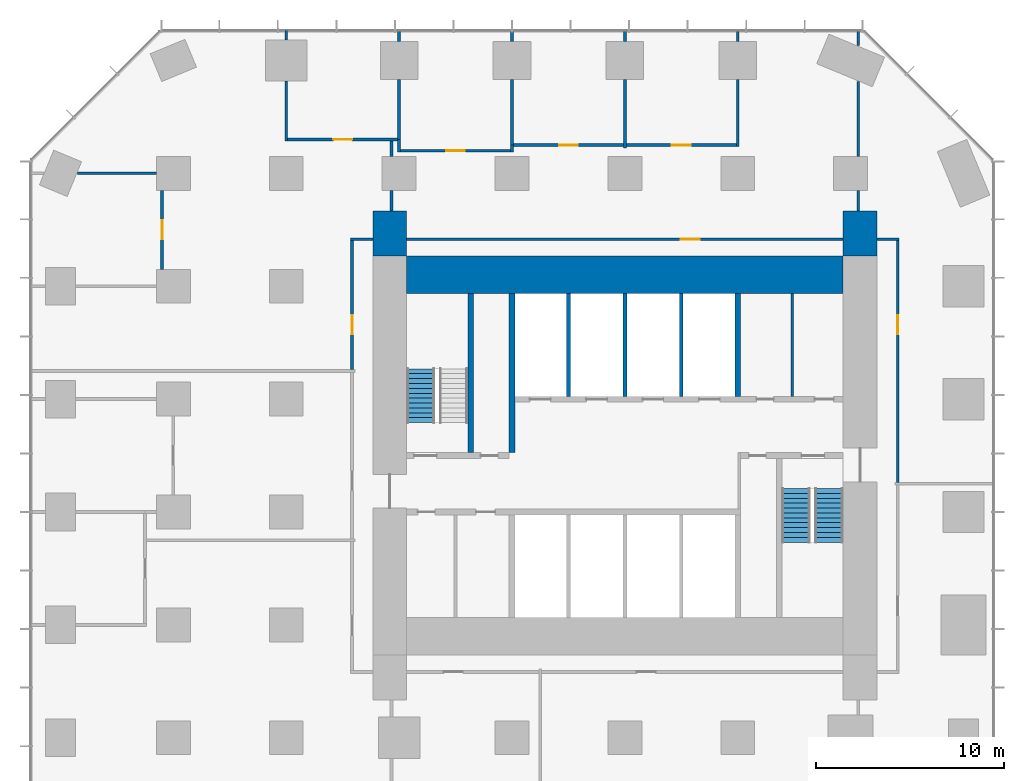
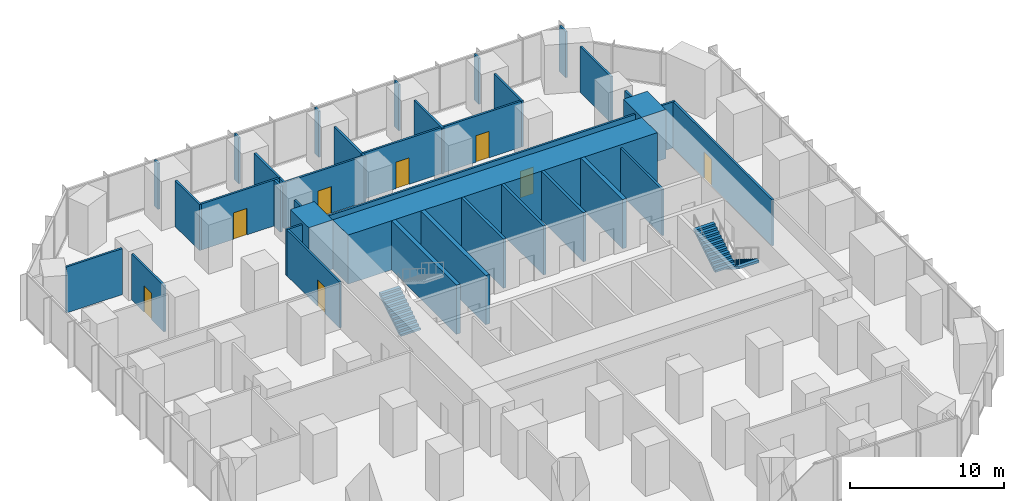
# One storey, part 10 of 12: 38 walls, 8 doors, 3 stair flights, 8 openings, 2 elements without a shape of their own.
"""IFC4 building model written with IfcOpenShell, lengths in metres."""

from ifc_helpers import new_model, si_unit, direction, frame, frame_2d, origin, place, context, subcontext, project, spatial, polyline, rectangle, outline, extrude, material, layer, layer_set, type_object, element, fill, aggregate, save


model = new_model("IFC4")

# Units and contexts
model_context = context("Model", 3, precision=1e-05, world=origin(), true_north=direction((0.0, 1.0)))
body_context = subcontext(model_context, "Body", "Model", "MODEL_VIEW")
ifc_project = project(units=[si_unit("LENGTHUNIT", "METRE"), si_unit("AREAUNIT", "SQUARE_METRE"), si_unit("VOLUMEUNIT", "CUBIC_METRE"), si_unit("PLANEANGLEUNIT", "RADIAN"), si_unit("MASSUNIT", "GRAM", prefix="KILO")], contexts=[model_context])

# Site, building, storey
site_placement = place(None, origin())
site = spatial("IfcSite", under=ifc_project, at=site_placement, CompositionType="ELEMENT")
building_placement = place(site_placement, origin())
building = spatial("IfcBuilding", under=site, at=building_placement, Name="Highveld Stack Headquarters", CompositionType="ELEMENT")
storey_placement = place(building_placement, frame((0.0, 0.0, 37.699951171875)))
storey = spatial("IfcBuildingStorey", under=building, at=storey_placement, Name="L08", CompositionType="ELEMENT", Elevation=37.699951171875)

# Walls
ifc_material_1 = material(Name="Concrete C60/75", Category="concrete")
ifc_layer_1 = layer(ifc_material_1, 2.0)
ifc_layer_set_1 = layer_set([ifc_layer_1], Name="Concrete C60/75")
wall_type_1 = type_object("IfcWallType", Name="CORE WALL 2000 C60/75", PredefinedType="SHEAR", material=ifc_layer_set_1)
wall_1_placement = place(storey_placement, frame((-5.60009765625, 12.60009765625, 0.0), z_axis=(0.0, 0.0, 1.0), x_axis=(1.0, 0.0, 0.0)))
element("IfcWall", 1, at=wall_1_placement, inside=storey, type_object=wall_type_1, Name="Core wall N L08", PredefinedType="SHEAR", context=body_context, shape_type="SweptSolid", body=[
    extrude(rectangle(XDim=23.2001953125, YDim=2.0, at=frame_2d((11.60009765625, 0.0))), origin(), (0.0, 0.0, 1.0), 3.900146484375),
])
ifc_material_2 = material(Name="Concrete C60/75", Category="concrete")
ifc_layer_2 = layer(ifc_material_2, 0.300048828125)
ifc_layer_set_2 = layer_set([ifc_layer_2], Name="Concrete C60/75")
wall_type_2 = type_object("IfcWallType", Name="CORE WALL 300 C60/75", PredefinedType="SHEAR", material=ifc_layer_set_2)
wall_2_placement = place(storey_placement, frame((0.0, 3.14990234375, 0.0), z_axis=(0.0, 0.0, 1.0), x_axis=(0.0, 1.0, 0.0)))
element("IfcWall", 2, at=wall_2_placement, inside=storey, type_object=wall_type_2, Name="Core wall I-X0N L08", PredefinedType="SHEAR", context=body_context, shape_type="SweptSolid", body=[
    extrude(rectangle(XDim=8.4501953125, YDim=0.300048828125, at=frame_2d((4.22509765625, 0.0))), origin(), (0.0, 0.0, 1.0), 3.900146484375),
])
wall_3_placement = place(storey_placement, frame((12.0, 6.14990234375, 0.0), z_axis=(0.0, 0.0, 1.0), x_axis=(0.0, 1.0, 0.0)))
element("IfcWall", 3, at=wall_3_placement, inside=storey, type_object=wall_type_2, Name="Core wall I-X12N L08", PredefinedType="SHEAR", context=body_context, shape_type="SweptSolid", body=[
    extrude(rectangle(XDim=5.4501953125, YDim=0.300048828125, at=frame_2d((2.72509765625, 0.0))), origin(), (0.0, 0.0, 1.0), 3.900146484375),
])
wall_4_placement = place(storey_placement, frame((-2.199951171875, 3.14990234375, 0.0), z_axis=(0.0, 0.0, 1.0), x_axis=(0.0, 1.0, 0.0)))
element("IfcWall", 4, at=wall_4_placement, inside=storey, type_object=wall_type_2, Name="Core wall I-RW L08", PredefinedType="SHEAR", context=body_context, shape_type="SweptSolid", body=[
    extrude(rectangle(XDim=8.4501953125, YDim=0.300048828125, at=frame_2d((4.22509765625, 0.0))), origin(), (0.0, 0.0, 1.0), 3.900146484375),
])
ifc_material_3 = material(Name="Concrete C60/75", Category="concrete")
ifc_layer_3 = layer(ifc_material_3, 1.800048828125)
ifc_layer_set_3 = layer_set([ifc_layer_3], Name="Concrete C60/75")
wall_type_3 = type_object("IfcWallType", Name="CORE WING WALL 1800 C60/75", PredefinedType="SHEAR", material=ifc_layer_set_3)
for number, where, z_axis, x_axis, name in (
    (5, (-6.5, 13.60009765625, 0.0), (0.0, 0.0, 1.0), (0.0, 1.0, 0.0), "Core wing wall WN L08"),
    (6, (18.5, 13.60009765625, 0.0), (0.0, 0.0, 1.0), (0.0, 1.0, 0.0), "Core wing wall EN L08"),
):
    element("IfcWall", number, at=place(storey_placement, frame(where, z_axis=z_axis, x_axis=x_axis)), inside=storey, type_object=wall_type_3, Name=name, PredefinedType="SHEAR", context=body_context, shape_type="SweptSolid", body=[
        extrude(rectangle(XDim=2.39990234375, YDim=1.800048828125, at=frame_2d((1.199951171875, 0.0))), origin(), (0.0, 0.0, 1.0), 3.900146484375),
    ])

# Wall, opening, door
ifc_material_4 = material(Name="Laminated glass in aluminium frame", Category="aluminium")
ifc_layer_4 = layer(ifc_material_4, 0.14990234375)
ifc_layer_set_4 = layer_set([ifc_layer_4], Name="Laminated glass in aluminium frame")
wall_type_4 = type_object("IfcWallType", Name="GLAZED PARTITION 150", PredefinedType="PARTITIONING", material=ifc_layer_set_4)
wall_5_placement = place(storey_placement, frame((-18.60009765625, 12.89990234375, 0.0), z_axis=(0.0, 0.0, 1.0), x_axis=(0.0, 1.0, 0.0)))
wall_5 = element("IfcWall", 7, at=wall_5_placement, inside=storey, type_object=wall_type_4, Name="Glazed partition Video conference room L08", PredefinedType="PARTITIONING", context=body_context, shape_type="SweptSolid", body=[
    extrude(rectangle(XDim=4.2001953125, YDim=0.14990234375, at=frame_2d((2.10009765625, 0.0))), origin(), (0.0, 0.0, 1.0), 3.650146484375),
])
opening_1_placement = place(wall_5_placement, frame((1.60009765625, 0.0, 0.0)))
opening_1 = element("IfcOpeningElement", 8, at=opening_1_placement, cuts=wall_5, Name="Opening L08-16", PredefinedType="OPENING", context=body_context, shape_type="SweptSolid", body=[
    extrude(rectangle(XDim=1.0, YDim=2.10009765625, at=frame_2d((0.5, 1.050048828125))), frame((0.0, 0.0849609375, 0.0), z_axis=(0.0, -1.0, 0.0), x_axis=(1.0, 0.0, 0.0)), (0.0, 0.0, 1.0), 0.169921875),
])
ifc_material_5 = material(Name="Timber door, oiled ash", Category="wood")
door_type = type_object("IfcDoorType", Name="ROOM DOOR D6 1000x2100", OperationType="SINGLE_SWING_LEFT", PredefinedType="DOOR", material=ifc_material_5)
door_1_placement = place(opening_1_placement, origin())
door_1 = element("IfcDoor", 9, at=door_1_placement, inside=storey, type_object=door_type, Name="Video conference room door 1 L08", OperationType="SINGLE_SWING_RIGHT", OverallHeight=2.10009765625, OverallWidth=1.0, PredefinedType="DOOR", context=body_context, shape_type="SweptSolid", body=[
    extrude(rectangle(XDim=1.0, YDim=2.10009765625, at=frame_2d((0.5, 1.050048828125))), frame((0.0, 0.02490234375, 0.0), z_axis=(0.0, -1.0, 0.0), x_axis=(1.0, 0.0, 0.0)), (0.0, 0.0, 1.0), 0.050048828125),
])
fill(opening_1, door_1)

# Walls
ifc_material_6 = material(Name="Concrete blockwork, fair-faced", Category="masonry")
ifc_layer_5 = layer(ifc_material_6, 0.199951171875)
ifc_layer_set_5 = layer_set([ifc_layer_5], Name="Concrete blockwork, fair-faced")
wall_type_5 = type_object("IfcWallType", Name="LIFT SHAFT ENCLOSURE WALL 200 BLOCKWORK", PredefinedType="SOLIDWALL", material=ifc_layer_set_5)
for number, where, z_axis, x_axis, name in (
    (10, (3.0, 6.14990234375, 0.0), (0.0, 0.0, 1.0), (0.0, 1.0, 0.0), "Lift shaft wall L08"),
    (11, (6.0, 6.14990234375, 0.0), (0.0, 0.0, 1.0), (0.0, 1.0, 0.0), "Lift shaft wall L08"),
    (12, (9.0, 6.14990234375, 0.0), (0.0, 0.0, 1.0), (0.0, 1.0, 0.0), "Lift shaft wall L08"),
):
    element("IfcWall", number, at=place(storey_placement, frame(where, z_axis=z_axis, x_axis=x_axis)), inside=storey, type_object=wall_type_5, Name=name, PredefinedType="SOLIDWALL", context=body_context, shape_type="SweptSolid", body=[
        extrude(rectangle(XDim=5.4501953125, YDim=0.199951171875, at=frame_2d((2.72509765625, 0.0))), origin(), (0.0, 0.0, 1.0), 3.900146484375),
    ])
ifc_material_7 = material(Name="Gypsum plasterboard on steel studs", Category="steel")
ifc_layer_6 = layer(ifc_material_7, 0.14990234375)
ifc_layer_set_6 = layer_set([ifc_layer_6], Name="Gypsum plasterboard on steel studs")
wall_type_6 = type_object("IfcWallType", Name="PARTITION 150 PLASTERBOARD", PredefinedType="PARTITIONING", material=ifc_layer_set_6)
wall_6_placement = place(storey_placement, frame((-23.10302734375, 18.0, 0.0), z_axis=(0.0, 0.0, 1.0), x_axis=(1.0, 0.0, 0.0)))
element("IfcWall", 13, at=wall_6_placement, inside=storey, type_object=wall_type_6, Name="Partition Video conference room L08", PredefinedType="PARTITIONING", context=body_context, shape_type="SweptSolid", body=[
    extrude(rectangle(XDim=4.203125, YDim=0.14990234375, at=frame_2d((2.1015625, 0.0))), origin(), (0.0, 0.0, 1.0), 3.650146484375),
])

# Wall, opening, door
wall_7_placement = place(storey_placement, frame((-5.925048828125, 19.199951171875, 0.0), z_axis=(0.0, 0.0, 1.0), x_axis=(1.0, 0.0, 0.0)))
wall_7 = element("IfcWall", 14, at=wall_7_placement, inside=storey, type_object=wall_type_6, Name="Partition Tea kitchen L08", PredefinedType="PARTITIONING", context=body_context, shape_type="SweptSolid", body=[
    extrude(rectangle(XDim=5.85009765625, YDim=0.14990234375, at=frame_2d((2.925048828125, 0.0))), origin(), (0.0, 0.0, 1.0), 3.650146484375),
])
opening_2_placement = place(wall_7_placement, frame((2.425048828125, 0.0, 0.0)))
opening_2 = element("IfcOpeningElement", 15, at=opening_2_placement, cuts=wall_7, Name="Opening L08-18", PredefinedType="OPENING", context=body_context, shape_type="SweptSolid", body=[
    extrude(rectangle(XDim=1.0, YDim=2.10009765625, at=frame_2d((0.5, 1.050048828125))), frame((0.0, 0.0849609375, 0.0), z_axis=(0.0, -1.0, 0.0), x_axis=(1.0, 0.0, 0.0)), (0.0, 0.0, 1.0), 0.169921875),
])
door_2_placement = place(opening_2_placement, origin())
door_2 = element("IfcDoor", 16, at=door_2_placement, inside=storey, type_object=door_type, Name="Tea kitchen door 1 L08", OperationType="SINGLE_SWING_LEFT", OverallHeight=2.10009765625, OverallWidth=1.0, PredefinedType="DOOR", context=body_context, shape_type="SweptSolid", body=[
    extrude(rectangle(XDim=1.0, YDim=2.10009765625, at=frame_2d((0.5, 1.050048828125))), frame((0.0, 0.02490234375, 0.0), z_axis=(0.0, -1.0, 0.0), x_axis=(1.0, 0.0, 0.0)), (0.0, 0.0, 1.0), 0.050048828125),
])
fill(opening_2, door_2)

wall_8_placement = place(storey_placement, frame((0.074951171875, 19.5, 0.0), z_axis=(0.0, 0.0, 1.0), x_axis=(1.0, 0.0, 0.0)))
wall_8 = element("IfcWall", 17, at=wall_8_placement, inside=storey, type_object=wall_type_6, Name="Partition Quiet room L08", PredefinedType="PARTITIONING", context=body_context, shape_type="SweptSolid", body=[
    extrude(rectangle(XDim=5.85009765625, YDim=0.14990234375, at=frame_2d((2.925048828125, 0.0))), origin(), (0.0, 0.0, 1.0), 3.650146484375),
])
opening_3_placement = place(wall_8_placement, frame((2.425048828125, 0.0, 0.0)))
opening_3 = element("IfcOpeningElement", 18, at=opening_3_placement, cuts=wall_8, Name="Opening L08-19", PredefinedType="OPENING", context=body_context, shape_type="SweptSolid", body=[
    extrude(rectangle(XDim=1.0, YDim=2.10009765625, at=frame_2d((0.5, 1.050048828125))), frame((0.0, 0.0849609375, 0.0), z_axis=(0.0, -1.0, 0.0), x_axis=(1.0, 0.0, 0.0)), (0.0, 0.0, 1.0), 0.169921875),
])
door_3_placement = place(opening_3_placement, origin())
door_3 = element("IfcDoor", 19, at=door_3_placement, inside=storey, type_object=door_type, Name="Quiet room door 1 L08", OperationType="SINGLE_SWING_RIGHT", OverallHeight=2.10009765625, OverallWidth=1.0, PredefinedType="DOOR", context=body_context, shape_type="SweptSolid", body=[
    extrude(rectangle(XDim=1.0, YDim=2.10009765625, at=frame_2d((0.5, 1.050048828125))), frame((0.0, 0.02490234375, 0.0), z_axis=(0.0, -1.0, 0.0), x_axis=(1.0, 0.0, 0.0)), (0.0, 0.0, 1.0), 0.050048828125),
])
fill(opening_3, door_3)

wall_9_placement = place(storey_placement, frame((6.074951171875, 19.5, 0.0), z_axis=(0.0, 0.0, 1.0), x_axis=(1.0, 0.0, 0.0)))
wall_9 = element("IfcWall", 20, at=wall_9_placement, inside=storey, type_object=wall_type_6, Name="Partition Quiet room L08", PredefinedType="PARTITIONING", context=body_context, shape_type="SweptSolid", body=[
    extrude(rectangle(XDim=5.85009765625, YDim=0.14990234375, at=frame_2d((2.925048828125, 0.0))), origin(), (0.0, 0.0, 1.0), 3.650146484375),
])
opening_4_placement = place(wall_9_placement, frame((2.425048828125, 0.0, 0.0)))
opening_4 = element("IfcOpeningElement", 21, at=opening_4_placement, cuts=wall_9, Name="Opening L08-20", PredefinedType="OPENING", context=body_context, shape_type="SweptSolid", body=[
    extrude(rectangle(XDim=1.0, YDim=2.10009765625, at=frame_2d((0.5, 1.050048828125))), frame((0.0, 0.0849609375, 0.0), z_axis=(0.0, -1.0, 0.0), x_axis=(1.0, 0.0, 0.0)), (0.0, 0.0, 1.0), 0.169921875),
])
door_4_placement = place(opening_4_placement, origin())
door_4 = element("IfcDoor", 22, at=door_4_placement, inside=storey, type_object=door_type, Name="Quiet room door 1 L08", OperationType="SINGLE_SWING_LEFT", OverallHeight=2.10009765625, OverallWidth=1.0, PredefinedType="DOOR", context=body_context, shape_type="SweptSolid", body=[
    extrude(rectangle(XDim=1.0, YDim=2.10009765625, at=frame_2d((0.5, 1.050048828125))), frame((0.0, 0.02490234375, 0.0), z_axis=(0.0, -1.0, 0.0), x_axis=(1.0, 0.0, 0.0)), (0.0, 0.0, 1.0), 0.050048828125),
])
fill(opening_4, door_4)

wall_10_placement = place(storey_placement, frame((-11.925048828125, 19.800048828125, 0.0), z_axis=(0.0, 0.0, 1.0), x_axis=(1.0, 0.0, 0.0)))
wall_10 = element("IfcWall", 23, at=wall_10_placement, inside=storey, type_object=wall_type_6, Name="Partition Print room L08", PredefinedType="PARTITIONING", context=body_context, shape_type="SweptSolid", body=[
    extrude(rectangle(XDim=5.85009765625, YDim=0.14990234375, at=frame_2d((2.925048828125, 0.0))), origin(), (0.0, 0.0, 1.0), 3.650146484375),
])
opening_5_placement = place(wall_10_placement, frame((2.425048828125, 0.0, 0.0)))
opening_5 = element("IfcOpeningElement", 24, at=opening_5_placement, cuts=wall_10, Name="Opening L08-17", PredefinedType="OPENING", context=body_context, shape_type="SweptSolid", body=[
    extrude(rectangle(XDim=1.0, YDim=2.10009765625, at=frame_2d((0.5, 1.050048828125))), frame((0.0, 0.0849609375, 0.0), z_axis=(0.0, -1.0, 0.0), x_axis=(1.0, 0.0, 0.0)), (0.0, 0.0, 1.0), 0.169921875),
])
door_5_placement = place(opening_5_placement, origin())
door_5 = element("IfcDoor", 25, at=door_5_placement, inside=storey, type_object=door_type, Name="Print room door 1 L08", OperationType="SINGLE_SWING_LEFT", OverallHeight=2.10009765625, OverallWidth=1.0, PredefinedType="DOOR", context=body_context, shape_type="SweptSolid", body=[
    extrude(rectangle(XDim=1.0, YDim=2.10009765625, at=frame_2d((0.5, 1.050048828125))), frame((0.0, 0.02490234375, 0.0), z_axis=(0.0, -1.0, 0.0), x_axis=(1.0, 0.0, 0.0)), (0.0, 0.0, 1.0), 0.050048828125),
])
fill(opening_5, door_5)

# Walls
wall_11_placement = place(storey_placement, frame((-12.0, 19.72509765625, 0.0), z_axis=(0.0, 0.0, 1.0), x_axis=(0.0, 1.0, 0.0)))
element("IfcWall", 26, at=wall_11_placement, inside=storey, type_object=wall_type_6, Name="Partition Print room L08", PredefinedType="PARTITIONING", context=body_context, shape_type="SweptSolid", body=[
    extrude(rectangle(XDim=3.1748046875, YDim=0.14990234375, at=frame_2d((1.58740234375, 0.0))), origin(), (0.0, 0.0, 1.0), 3.650146484375),
])
wall_12_placement = place(storey_placement, frame((-12.0, 25.10009765625, 0.0), z_axis=(0.0, 0.0, 1.0), x_axis=(0.0, 1.0, 0.0)))
element("IfcWall", 27, at=wall_12_placement, inside=storey, type_object=wall_type_6, Name="Partition Print room L08", PredefinedType="PARTITIONING", context=body_context, shape_type="SweptSolid", body=[
    extrude(rectangle(XDim=0.5, YDim=0.14990234375, at=frame_2d((0.25, 0.0))), origin(), (0.0, 0.0, 1.0), 3.650146484375),
])
wall_13_placement = place(storey_placement, frame((-6.0, 19.125, 0.0), z_axis=(0.0, 0.0, 1.0), x_axis=(0.0, 1.0, 0.0)))
element("IfcWall", 28, at=wall_13_placement, inside=storey, type_object=wall_type_6, Name="Partition Tea kitchen L08", PredefinedType="PARTITIONING", context=body_context, shape_type="SweptSolid", body=[
    extrude(rectangle(XDim=0.675048828125, YDim=0.14990234375, at=frame_2d((0.33740234375, 0.0))), origin(), (0.0, 0.0, 1.0), 3.650146484375),
])
wall_14_placement = place(storey_placement, frame((-6.0, 19.800048828125, 0.0), z_axis=(0.0, 0.0, 1.0), x_axis=(0.0, 1.0, 0.0)))
element("IfcWall", 29, at=wall_14_placement, inside=storey, type_object=wall_type_6, Name="Partition Print room / Tea kitchen L08", PredefinedType="PARTITIONING", context=body_context, shape_type="SweptSolid", body=[
    extrude(rectangle(XDim=3.199951171875, YDim=0.14990234375, at=frame_2d((1.60009765625, 0.0))), origin(), (0.0, 0.0, 1.0), 3.650146484375),
])
wall_15_placement = place(storey_placement, frame((-6.0, 25.0, 0.0), z_axis=(0.0, 0.0, 1.0), x_axis=(0.0, 1.0, 0.0)))
element("IfcWall", 30, at=wall_15_placement, inside=storey, type_object=wall_type_6, Name="Partition Print room / Tea kitchen L08", PredefinedType="PARTITIONING", context=body_context, shape_type="SweptSolid", body=[
    extrude(rectangle(XDim=0.60009765625, YDim=0.14990234375, at=frame_2d((0.300048828125, 0.0))), origin(), (0.0, 0.0, 1.0), 3.650146484375),
])
wall_16_placement = place(storey_placement, frame((0.0, 19.125, 0.0), z_axis=(0.0, 0.0, 1.0), x_axis=(0.0, 1.0, 0.0)))
element("IfcWall", 31, at=wall_16_placement, inside=storey, type_object=wall_type_6, Name="Partition Tea kitchen L08", PredefinedType="PARTITIONING", context=body_context, shape_type="SweptSolid", body=[
    extrude(rectangle(XDim=0.375, YDim=0.14990234375, at=frame_2d((0.1875, 0.0))), origin(), (0.0, 0.0, 1.0), 3.650146484375),
])
wall_17_placement = place(storey_placement, frame((0.0, 19.5, 0.0), z_axis=(0.0, 0.0, 1.0), x_axis=(0.0, 1.0, 0.0)))
element("IfcWall", 32, at=wall_17_placement, inside=storey, type_object=wall_type_6, Name="Partition Quiet room / Tea kitchen L08", PredefinedType="PARTITIONING", context=body_context, shape_type="SweptSolid", body=[
    extrude(rectangle(XDim=3.5, YDim=0.14990234375, at=frame_2d((1.75, 0.0))), origin(), (0.0, 0.0, 1.0), 3.650146484375),
])
wall_18_placement = place(storey_placement, frame((0.0, 25.0, 0.0), z_axis=(0.0, 0.0, 1.0), x_axis=(0.0, 1.0, 0.0)))
element("IfcWall", 33, at=wall_18_placement, inside=storey, type_object=wall_type_6, Name="Partition Quiet room / Tea kitchen L08", PredefinedType="PARTITIONING", context=body_context, shape_type="SweptSolid", body=[
    extrude(rectangle(XDim=0.550048828125, YDim=0.14990234375, at=frame_2d((0.27490234375, 0.0))), origin(), (0.0, 0.0, 1.0), 3.650146484375),
])
wall_19_placement = place(storey_placement, frame((6.0, 19.35009765625, 0.0), z_axis=(0.0, 0.0, 1.0), x_axis=(0.0, 1.0, 0.0)))
element("IfcWall", 34, at=wall_19_placement, inside=storey, type_object=wall_type_6, Name="Partition Quiet room L08", PredefinedType="PARTITIONING", context=body_context, shape_type="SweptSolid", body=[
    extrude(rectangle(XDim=3.64990234375, YDim=0.14990234375, at=frame_2d((1.824951171875, 0.0))), origin(), (0.0, 0.0, 1.0), 3.650146484375),
])
wall_20_placement = place(storey_placement, frame((6.0, 25.0, 0.0), z_axis=(0.0, 0.0, 1.0), x_axis=(0.0, 1.0, 0.0)))
element("IfcWall", 35, at=wall_20_placement, inside=storey, type_object=wall_type_6, Name="Partition Quiet room L08", PredefinedType="PARTITIONING", context=body_context, shape_type="SweptSolid", body=[
    extrude(rectangle(XDim=0.60009765625, YDim=0.14990234375, at=frame_2d((0.300048828125, 0.0))), origin(), (0.0, 0.0, 1.0), 3.650146484375),
])
wall_21_placement = place(storey_placement, frame((12.0, 19.425048828125, 0.0), z_axis=(0.0, 0.0, 1.0), x_axis=(0.0, 1.0, 0.0)))
element("IfcWall", 36, at=wall_21_placement, inside=storey, type_object=wall_type_6, Name="Partition Quiet room L08", PredefinedType="PARTITIONING", context=body_context, shape_type="SweptSolid", body=[
    extrude(rectangle(XDim=3.574951171875, YDim=0.14990234375, at=frame_2d((1.78759765625, 0.0))), origin(), (0.0, 0.0, 1.0), 3.650146484375),
])
wall_22_placement = place(storey_placement, frame((12.0, 25.0, 0.0), z_axis=(0.0, 0.0, 1.0), x_axis=(0.0, 1.0, 0.0)))
element("IfcWall", 37, at=wall_22_placement, inside=storey, type_object=wall_type_6, Name="Partition Quiet room L08", PredefinedType="PARTITIONING", context=body_context, shape_type="SweptSolid", body=[
    extrude(rectangle(XDim=0.60009765625, YDim=0.14990234375, at=frame_2d((0.300048828125, 0.0))), origin(), (0.0, 0.0, 1.0), 3.650146484375),
])

# Wall, opening, door
wall_23_placement = place(storey_placement, frame((-8.5, 7.574951171875, 0.0), z_axis=(0.0, 0.0, 1.0), x_axis=(0.0, 1.0, 0.0)))
wall_23 = element("IfcWall", 38, at=wall_23_placement, inside=storey, type_object=wall_type_6, Name="Partition office neighbourhood L08", PredefinedType="PARTITIONING", context=body_context, shape_type="SweptSolid", body=[
    extrude(rectangle(XDim=6.85009765625, YDim=0.14990234375, at=frame_2d((3.425048828125, 0.0))), origin(), (0.0, 0.0, 1.0), 3.650146484375),
])
opening_6_placement = place(wall_23_placement, frame((1.875, 0.0, 0.0)))
opening_6 = element("IfcOpeningElement", 39, at=opening_6_placement, cuts=wall_23, Name="Opening L08-25", PredefinedType="OPENING", context=body_context, shape_type="SweptSolid", body=[
    extrude(rectangle(XDim=1.0, YDim=2.10009765625, at=frame_2d((0.5, 1.050048828125))), frame((0.0, 0.0849609375, 0.0), z_axis=(0.0, -1.0, 0.0), x_axis=(1.0, 0.0, 0.0)), (0.0, 0.0, 1.0), 0.169921875),
])
door_6_placement = place(opening_6_placement, origin())
door_6 = element("IfcDoor", 40, at=door_6_placement, inside=storey, type_object=door_type, Name="Office neighbourhood door L08", OperationType="SINGLE_SWING_LEFT", OverallHeight=2.10009765625, OverallWidth=1.0, PredefinedType="DOOR", context=body_context, shape_type="SweptSolid", body=[
    extrude(rectangle(XDim=1.0, YDim=2.10009765625, at=frame_2d((0.5, 1.050048828125))), frame((0.0, 0.02490234375, 0.0), z_axis=(0.0, -1.0, 0.0), x_axis=(1.0, 0.0, 0.0)), (0.0, 0.0, 1.0), 0.050048828125),
])
fill(opening_6, door_6)

# Walls
wall_24_placement = place(storey_placement, frame((-8.574951171875, 14.5, 0.0), z_axis=(0.0, 0.0, 1.0), x_axis=(1.0, 0.0, 0.0)))
element("IfcWall", 41, at=wall_24_placement, inside=storey, type_object=wall_type_6, Name="Partition office neighbourhood L08", PredefinedType="PARTITIONING", context=body_context, shape_type="SweptSolid", body=[
    extrude(rectangle(XDim=1.175048828125, YDim=0.14990234375, at=frame_2d((0.58740234375, 0.0))), origin(), (0.0, 0.0, 1.0), 3.650146484375),
])
wall_25_placement = place(storey_placement, frame((-6.39990234375, 16.0, 0.0), z_axis=(0.0, 0.0, 1.0), x_axis=(0.0, 1.0, 0.0)))
element("IfcWall", 42, at=wall_25_placement, inside=storey, type_object=wall_type_6, Name="Partition office neighbourhood L08", PredefinedType="PARTITIONING", context=body_context, shape_type="SweptSolid", body=[
    extrude(rectangle(XDim=1.10009765625, YDim=0.14990234375, at=frame_2d((0.550048828125, 0.0))), origin(), (0.0, 0.0, 1.0), 3.650146484375),
])
wall_26_placement = place(storey_placement, frame((-6.39990234375, 18.89990234375, 0.0), z_axis=(0.0, 0.0, 1.0), x_axis=(0.0, 1.0, 0.0)))
element("IfcWall", 43, at=wall_26_placement, inside=storey, type_object=wall_type_6, Name="Partition office neighbourhood L08", PredefinedType="PARTITIONING", context=body_context, shape_type="SweptSolid", body=[
    extrude(rectangle(XDim=0.8251953125, YDim=0.14990234375, at=frame_2d((0.41259765625, 0.0))), origin(), (0.0, 0.0, 1.0), 3.650146484375),
])

# Wall, opening, door
wall_27_placement = place(storey_placement, frame((-5.60009765625, 14.5, 0.0), z_axis=(0.0, 0.0, 1.0), x_axis=(1.0, 0.0, 0.0)))
wall_27 = element("IfcWall", 44, at=wall_27_placement, inside=storey, type_object=wall_type_6, Name="Partition office neighbourhood L08", PredefinedType="PARTITIONING", context=body_context, shape_type="SweptSolid", body=[
    extrude(rectangle(XDim=23.2001953125, YDim=0.14990234375, at=frame_2d((11.60009765625, 0.0))), origin(), (0.0, 0.0, 1.0), 3.650146484375),
])
opening_7_placement = place(wall_27_placement, frame((14.580078125, 0.0, 0.0)))
opening_7 = element("IfcOpeningElement", 45, at=opening_7_placement, cuts=wall_27, Name="Opening L08-28", PredefinedType="OPENING", context=body_context, shape_type="SweptSolid", body=[
    extrude(rectangle(XDim=1.0, YDim=2.10009765625, at=frame_2d((0.5, 1.050048828125))), frame((0.0, 0.0849609375, 0.0), z_axis=(0.0, -1.0, 0.0), x_axis=(1.0, 0.0, 0.0)), (0.0, 0.0, 1.0), 0.169921875),
])
door_7_placement = place(opening_7_placement, origin())
door_7 = element("IfcDoor", 46, at=door_7_placement, inside=storey, type_object=door_type, Name="Office neighbourhood door L08", OperationType="SINGLE_SWING_RIGHT", OverallHeight=2.10009765625, OverallWidth=1.0, PredefinedType="DOOR", context=body_context, shape_type="SweptSolid", body=[
    extrude(rectangle(XDim=1.0, YDim=2.10009765625, at=frame_2d((0.5, 1.050048828125))), frame((0.0, 0.02490234375, 0.0), z_axis=(0.0, -1.0, 0.0), x_axis=(1.0, 0.0, 0.0)), (0.0, 0.0, 1.0), 0.050048828125),
])
fill(opening_7, door_7)

# Walls
wall_28_placement = place(storey_placement, frame((18.39990234375, 16.0, 0.0), z_axis=(0.0, 0.0, 1.0), x_axis=(0.0, 1.0, 0.0)))
element("IfcWall", 47, at=wall_28_placement, inside=storey, type_object=wall_type_6, Name="Partition office neighbourhood L08", PredefinedType="PARTITIONING", context=body_context, shape_type="SweptSolid", body=[
    extrude(rectangle(XDim=1.10009765625, YDim=0.14990234375, at=frame_2d((0.550048828125, 0.0))), origin(), (0.0, 0.0, 1.0), 3.650146484375),
])
wall_29_placement = place(storey_placement, frame((18.39990234375, 18.89990234375, 0.0), z_axis=(0.0, 0.0, 1.0), x_axis=(0.0, 1.0, 0.0)))
element("IfcWall", 48, at=wall_29_placement, inside=storey, type_object=wall_type_6, Name="Partition office neighbourhood L08", PredefinedType="PARTITIONING", context=body_context, shape_type="SweptSolid", body=[
    extrude(rectangle(XDim=3.9833984375, YDim=0.14990234375, at=frame_2d((1.99169921875, 0.0))), origin(), (0.0, 0.0, 1.0), 3.650146484375),
])
wall_30_placement = place(storey_placement, frame((18.39990234375, 24.785400390625, 0.0), z_axis=(0.0, 0.0, 1.0), x_axis=(0.0, 1.0, 0.0)))
element("IfcWall", 49, at=wall_30_placement, inside=storey, type_object=wall_type_6, Name="Partition office neighbourhood L08", PredefinedType="PARTITIONING", context=body_context, shape_type="SweptSolid", body=[
    extrude(rectangle(XDim=0.814697265625, YDim=0.14990234375, at=frame_2d((0.4072265625, 0.0))), origin(), (0.0, 0.0, 1.0), 3.650146484375),
])
wall_31_placement = place(storey_placement, frame((19.39990234375, 14.5, 0.0), z_axis=(0.0, 0.0, 1.0), x_axis=(1.0, 0.0, 0.0)))
element("IfcWall", 50, at=wall_31_placement, inside=storey, type_object=wall_type_6, Name="Partition office neighbourhood L08", PredefinedType="PARTITIONING", context=body_context, shape_type="SweptSolid", body=[
    extrude(rectangle(XDim=1.175048828125, YDim=0.14990234375, at=frame_2d((0.58740234375, 0.0))), origin(), (0.0, 0.0, 1.0), 3.650146484375),
])

# Wall, opening, door
wall_32_placement = place(storey_placement, frame((20.5, 1.574951171875, 0.0), z_axis=(0.0, 0.0, 1.0), x_axis=(0.0, 1.0, 0.0)))
wall_32 = element("IfcWall", 51, at=wall_32_placement, inside=storey, type_object=wall_type_6, Name="Partition office neighbourhood L08", PredefinedType="PARTITIONING", context=body_context, shape_type="SweptSolid", body=[
    extrude(rectangle(XDim=12.85009765625, YDim=0.14990234375, at=frame_2d((6.425048828125, 0.0))), origin(), (0.0, 0.0, 1.0), 3.650146484375),
])
opening_8_placement = place(wall_32_placement, frame((7.875, 0.0, 0.0)))
opening_8 = element("IfcOpeningElement", 52, at=opening_8_placement, cuts=wall_32, Name="Opening L08-24", PredefinedType="OPENING", context=body_context, shape_type="SweptSolid", body=[
    extrude(rectangle(XDim=1.0, YDim=2.10009765625, at=frame_2d((0.5, 1.050048828125))), frame((0.0, 0.0849609375, 0.0), z_axis=(0.0, -1.0, 0.0), x_axis=(1.0, 0.0, 0.0)), (0.0, 0.0, 1.0), 0.169921875),
])
door_8_placement = place(opening_8_placement, origin())
door_8 = element("IfcDoor", 53, at=door_8_placement, inside=storey, type_object=door_type, Name="Office neighbourhood door L08", OperationType="SINGLE_SWING_RIGHT", OverallHeight=2.10009765625, OverallWidth=1.0, PredefinedType="DOOR", context=body_context, shape_type="SweptSolid", body=[
    extrude(rectangle(XDim=1.0, YDim=2.10009765625, at=frame_2d((0.5, 1.050048828125))), frame((0.0, 0.02490234375, 0.0), z_axis=(0.0, -1.0, 0.0), x_axis=(1.0, 0.0, 0.0)), (0.0, 0.0, 1.0), 0.050048828125),
])
fill(opening_8, door_8)

# Wall
ifc_material_8 = material(Name="Concrete blockwork, tiled", Category="masonry")
ifc_layer_7 = layer(ifc_material_8, 0.14990234375)
ifc_layer_set_7 = layer_set([ifc_layer_7], Name="Concrete blockwork, tiled")
wall_type_7 = type_object("IfcWallType", Name="WC PARTITION 150", PredefinedType="PLUMBINGWALL", material=ifc_layer_set_7)
wall_33_placement = place(storey_placement, frame((14.89990234375, 6.14990234375, 0.0), z_axis=(0.0, 0.0, 1.0), x_axis=(0.0, 1.0, 0.0)))
element("IfcWall", 54, at=wall_33_placement, inside=storey, type_object=wall_type_7, Name="Toilet partition L08", PredefinedType="PLUMBINGWALL", context=body_context, shape_type="SweptSolid", body=[
    extrude(rectangle(XDim=5.4501953125, YDim=0.14990234375, at=frame_2d((2.72509765625, 0.0))), origin(), (0.0, 0.0, 1.0), 3.650146484375),
])

# Stair, stair flight
ifc_material_9 = material(Name="Concrete C40/50, precast", Category="concrete")
stair_type_1 = type_object("IfcStairType", Name="STAIR S1 HALF TURN 1500", PredefinedType="HALF_TURN_STAIR", material=ifc_material_9)
stair_1_placement = place(storey_placement, origin())
stair_1 = element("IfcStair", 55, at=stair_1_placement, inside=storey, type_object=stair_type_1, Name="Stair S1 L08", PredefinedType="HALF_TURN_STAIR")
ifc_material_10 = material(Name="Concrete C40/50, precast", Category="concrete")
stair_flight_type = type_object("IfcStairFlightType", Name="STAIR FLIGHT 1500 PRECAST", PredefinedType="STRAIGHT", material=ifc_material_10)
stair_flight_1_placement = place(storey_placement, frame((-4.85009765625, 4.75, 0.0), z_axis=(0.0, 0.0, 1.0), x_axis=(0.0, 1.0, 0.0)))
stair_flight_1 = element("IfcStairFlight", 56, at=stair_flight_1_placement, type_object=stair_flight_type, Name="S1 flight 1", NumberOfRisers=12, NumberOfTreads=11, PredefinedType="STRAIGHT", RiserHeight=0.1625, TreadLength=0.26, context=body_context, shape_type="SweptSolid", body=[
    extrude(outline(polyline([(0.0, 0.0), (0.0, 0.16259765625), (0.260009765625, 0.16259765625), (0.260009765625, 0.324951171875), (0.52001953125, 0.324951171875), (0.52001953125, 0.487548828125), (0.780029296875, 0.487548828125), (0.780029296875, 0.64990234375), (1.0400390625, 0.64990234375), (1.0400390625, 0.8125), (1.300048828125, 0.8125), (1.300048828125, 0.97509765625), (1.56005859375, 0.97509765625), (1.56005859375, 1.137451171875), (1.820068359375, 1.137451171875), (1.820068359375, 1.300048828125), (2.080078125, 1.300048828125), (2.080078125, 1.46240234375), (2.340087890625, 1.46240234375), (2.340087890625, 1.625), (2.60009765625, 1.625), (2.60009765625, 1.78759765625), (2.860107421875, 1.78759765625), (2.860107421875, 1.949951171875), (2.860107421875, 1.61083984375), (0.28271484375, 0.0), (0.0, 0.0)])), frame((0.0, 0.75, 0.0), z_axis=(0.0, -1.0, 0.0), x_axis=(1.0, 0.0, 0.0)), (0.0, 0.0, 1.0), 1.5),
])
aggregate(stair_1, [stair_flight_1])

# Stair, stair flights
ifc_material_11 = material(Name="Concrete C40/50, precast", Category="concrete")
stair_type_2 = type_object("IfcStairType", Name="STAIR S2 HALF TURN 1500", PredefinedType="HALF_TURN_STAIR", material=ifc_material_11)
stair_2_placement = place(storey_placement, origin())
stair_2 = element("IfcStair", 57, at=stair_2_placement, inside=storey, type_object=stair_type_2, Name="Stair S2 L08", PredefinedType="HALF_TURN_STAIR")
stair_flight_2_placement = place(storey_placement, frame((16.85009765625, 1.25, 0.0), z_axis=(0.0, 0.0, 1.0), x_axis=(0.0, -1.0, 0.0)))
stair_flight_2 = element("IfcStairFlight", 58, at=stair_flight_2_placement, type_object=stair_flight_type, Name="S2 flight 1", NumberOfRisers=12, NumberOfTreads=11, PredefinedType="STRAIGHT", RiserHeight=0.1625, TreadLength=0.26, context=body_context, shape_type="SweptSolid", body=[
    extrude(outline(polyline([(0.0, 0.0), (0.0, 0.16259765625), (0.260009765625, 0.16259765625), (0.260009765625, 0.324951171875), (0.52001953125, 0.324951171875), (0.52001953125, 0.487548828125), (0.780029296875, 0.487548828125), (0.780029296875, 0.64990234375), (1.0400390625, 0.64990234375), (1.0400390625, 0.8125), (1.300048828125, 0.8125), (1.300048828125, 0.97509765625), (1.56005859375, 0.97509765625), (1.56005859375, 1.137451171875), (1.820068359375, 1.137451171875), (1.820068359375, 1.300048828125), (2.080078125, 1.300048828125), (2.080078125, 1.46240234375), (2.340087890625, 1.46240234375), (2.340087890625, 1.625), (2.60009765625, 1.625), (2.60009765625, 1.78759765625), (2.860107421875, 1.78759765625), (2.860107421875, 1.949951171875), (2.860107421875, 1.61083984375), (0.28271484375, 0.0), (0.0, 0.0)])), frame((0.0, 0.75, 0.0), z_axis=(0.0, -1.0, 0.0), x_axis=(1.0, 0.0, 0.0)), (0.0, 0.0, 1.0), 1.5),
])
stair_flight_3_placement = place(storey_placement, frame((15.10009765625, -1.610107421875, 1.949951171875), z_axis=(0.0, 0.0, 1.0), x_axis=(0.0, 1.0, 0.0)))
stair_flight_3 = element("IfcStairFlight", 59, at=stair_flight_3_placement, type_object=stair_flight_type, Name="S2 flight 2", NumberOfRisers=12, NumberOfTreads=11, PredefinedType="STRAIGHT", RiserHeight=0.1625, TreadLength=0.26, context=body_context, shape_type="SweptSolid", body=[
    extrude(outline(polyline([(0.0, 0.0), (0.0, 0.16259765625), (0.260009765625, 0.16259765625), (0.260009765625, 0.324951171875), (0.52001953125, 0.324951171875), (0.52001953125, 0.487548828125), (0.780029296875, 0.487548828125), (0.780029296875, 0.64990234375), (1.0400390625, 0.64990234375), (1.0400390625, 0.8125), (1.300048828125, 0.8125), (1.300048828125, 0.97509765625), (1.56005859375, 0.97509765625), (1.56005859375, 1.137451171875), (1.820068359375, 1.137451171875), (1.820068359375, 1.300048828125), (2.080078125, 1.300048828125), (2.080078125, 1.46240234375), (2.340087890625, 1.46240234375), (2.340087890625, 1.625), (2.60009765625, 1.625), (2.60009765625, 1.78759765625), (2.860107421875, 1.78759765625), (2.860107421875, 1.949951171875), (2.860107421875, 1.61083984375), (0.28271484375, 0.0), (0.0, 0.0)])), frame((0.0, 0.75, 0.0), z_axis=(0.0, -1.0, 0.0), x_axis=(1.0, 0.0, 0.0)), (0.0, 0.0, 1.0), 1.5),
])
aggregate(stair_2, [stair_flight_2, stair_flight_3])

save(model, "model.ifc")
